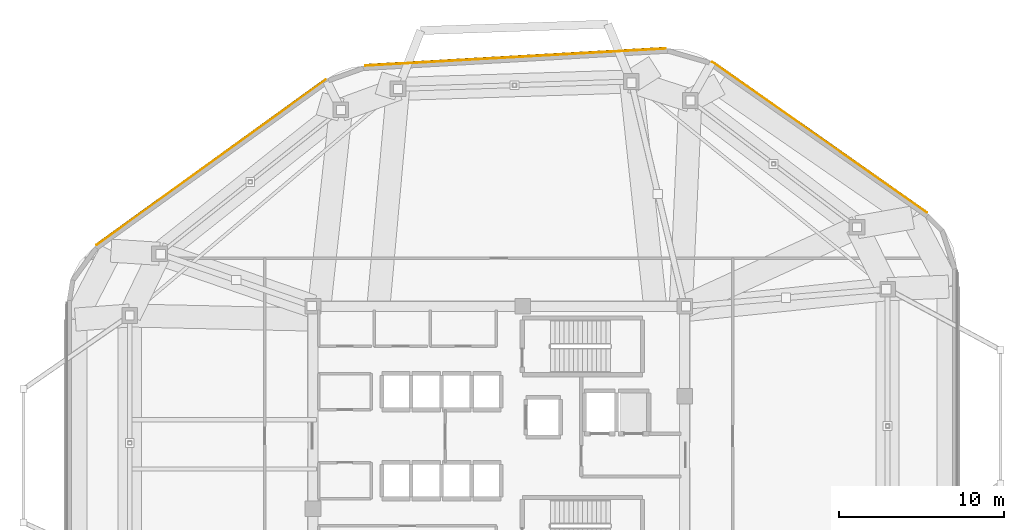
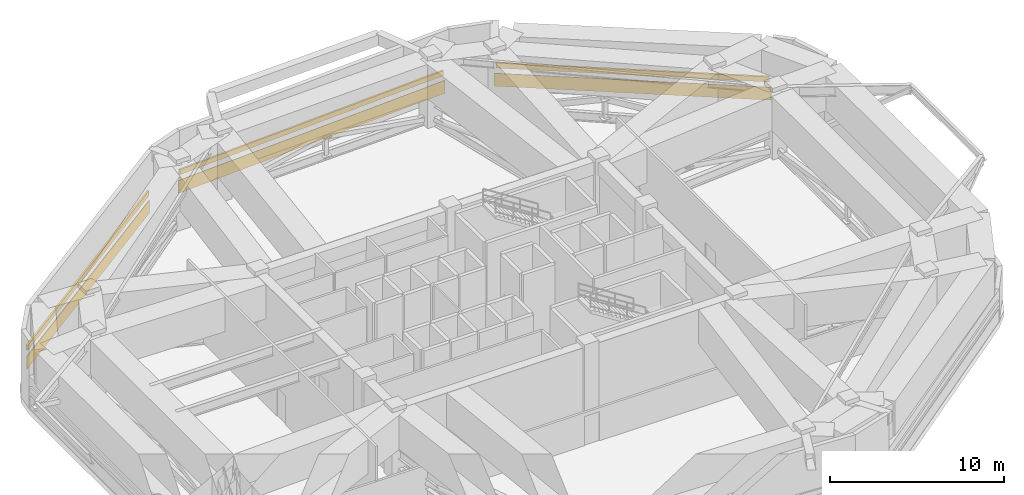
# One storey, part 12 of 13: 3 coverings, 3 shading devices.
"""IFC4 building model written with IfcOpenShell, lengths in metres."""

from ifc_helpers import new_model, si_unit, direction, frame, origin, origin_2d, place, context, subcontext, project, spatial, rectangle, extrude, material, layer, layer_set, type_object, element, save


model = new_model("IFC4")

# Units and contexts
model_context = context("Model", 3, precision=1e-05, world=origin(), true_north=direction((0.0, 1.0)))
body_context = subcontext(model_context, "Body", "Model", "MODEL_VIEW")
ifc_project = project(units=[si_unit("LENGTHUNIT", "METRE"), si_unit("AREAUNIT", "SQUARE_METRE"), si_unit("VOLUMEUNIT", "CUBIC_METRE"), si_unit("PLANEANGLEUNIT", "RADIAN"), si_unit("MASSUNIT", "GRAM", prefix="KILO")], contexts=[model_context])

# Site, building, storey
site_placement = place(None, origin())
site = spatial("IfcSite", under=ifc_project, at=site_placement, CompositionType="ELEMENT")
building_placement = place(site_placement, origin())
building = spatial("IfcBuilding", under=site, at=building_placement, Name="Zulverin Broadcast Headquarters", CompositionType="ELEMENT")
storey_placement = place(building_placement, frame((0.0, 0.0, 220.0)))
storey = spatial("IfcBuildingStorey", under=building, at=storey_placement, Name="L56", CompositionType="ELEMENT", Elevation=220.0)

# Coverings
ifc_material_1 = material(Name="Brushed pale-aluminium rainscreen cladding", Category="aluminium")
ifc_layer = layer(ifc_material_1, 0.0400390625, Name="Brushed pale-aluminium rainscreen cladding", Category="aluminium")
ifc_layer_set = layer_set([ifc_layer], Name="Brushed pale-aluminium rainscreen cladding")
covering_type = type_object("IfcCoveringType", Name="COV-CLAD-MEP", PredefinedType="CLADDING", material=ifc_layer_set)
covering_1_placement = place(storey_placement, frame((56.46240234375, 43.341796875, 0.10009765625), z_axis=(0.0, 0.0, 1.0), x_axis=(-0.818248055659, 0.574865305451, 0.0)))
element("IfcCovering", 1, at=covering_1_placement, inside=storey, type_object=covering_type, Name="L56 Brushed Pale-Aluminium Cladding Band 4", PredefinedType="CLADDING", context=body_context, shape_type="SweptSolid", body=[
    extrude(rectangle(XDim=15.9365234375, YDim=0.0400390625, at=origin_2d()), origin(), (0.0, 0.0, 1.0), 0.89990234375),
])
covering_2_placement = place(storey_placement, frame((38.01025390625, 48.20361328125, 0.10009765625), z_axis=(0.0, 0.0, 1.0), x_axis=(-0.998387809289, -0.056760745797, 0.0)))
element("IfcCovering", 2, at=covering_2_placement, inside=storey, type_object=covering_type, Name="L56 Brushed Pale-Aluminium Cladding Band 5", PredefinedType="CLADDING", context=body_context, shape_type="SweptSolid", body=[
    extrude(rectangle(XDim=18.283447265625, YDim=0.0400390625, at=origin_2d()), origin(), (0.0, 0.0, 1.0), 0.89990234375),
])
covering_3_placement = place(storey_placement, frame((19.534423828125, 41.817138671875, 0.10009765625), z_axis=(0.0, 0.0, 1.0), x_axis=(-0.811006642266, -0.585036944304, 0.0)))
element("IfcCovering", 3, at=covering_3_placement, inside=storey, type_object=covering_type, Name="L56 Brushed Pale-Aluminium Cladding Band 6", PredefinedType="CLADDING", context=body_context, shape_type="SweptSolid", body=[
    extrude(rectangle(XDim=17.1611328125, YDim=0.0400390625, at=origin_2d()), origin(), (0.0, 0.0, 1.0), 0.89990234375),
])

# Shading devices
ifc_material_2 = material(Name="Anodized pale-metal aluminium acoustic louvre", Category="aluminium")
shading_device_type = type_object("IfcShadingDeviceType", Name="SHD-LOUVRE-350", PredefinedType="USERDEFINED", material=ifc_material_2)
shading_device_1_placement = place(storey_placement, frame((56.479736328125, 43.3662109375, 1.375), z_axis=(0.0, 0.0, 1.0), x_axis=(-0.818248055659, 0.574865305451, 0.0)))
element("IfcShadingDevice", 4, at=shading_device_1_placement, inside=storey, type_object=shading_device_type, Name="L56 Plant Room Acoustic Louvre Screen 4", ObjectType="LOUVRE", PredefinedType="USERDEFINED", context=body_context, shape_type="SweptSolid", body=[
    extrude(rectangle(XDim=15.736572265625, YDim=0.1201171875, at=origin_2d()), origin(), (0.0, 0.0, 1.0), 0.35009765625),
])
shading_device_2_placement = place(storey_placement, frame((38.008544921875, 48.233642578125, 1.375), z_axis=(0.0, 0.0, 1.0), x_axis=(-0.998387809289, -0.056760745797, 0.0)))
element("IfcShadingDevice", 5, at=shading_device_2_placement, inside=storey, type_object=shading_device_type, Name="L56 Plant Room Acoustic Louvre Screen 5", ObjectType="LOUVRE", PredefinedType="USERDEFINED", context=body_context, shape_type="SweptSolid", body=[
    extrude(rectangle(XDim=18.08349609375, YDim=0.1201171875, at=origin_2d()), origin(), (0.0, 0.0, 1.0), 0.35009765625),
])
shading_device_3_placement = place(storey_placement, frame((19.516845703125, 41.841552734375, 1.375), z_axis=(0.0, 0.0, 1.0), x_axis=(-0.811006642266, -0.585036944304, 0.0)))
element("IfcShadingDevice", 6, at=shading_device_3_placement, inside=storey, type_object=shading_device_type, Name="L56 Plant Room Acoustic Louvre Screen 6", ObjectType="LOUVRE", PredefinedType="USERDEFINED", context=body_context, shape_type="SweptSolid", body=[
    extrude(rectangle(XDim=16.961181640625, YDim=0.1201171875, at=origin_2d()), origin(), (0.0, 0.0, 1.0), 0.35009765625),
])

save(model, "model.ifc")
